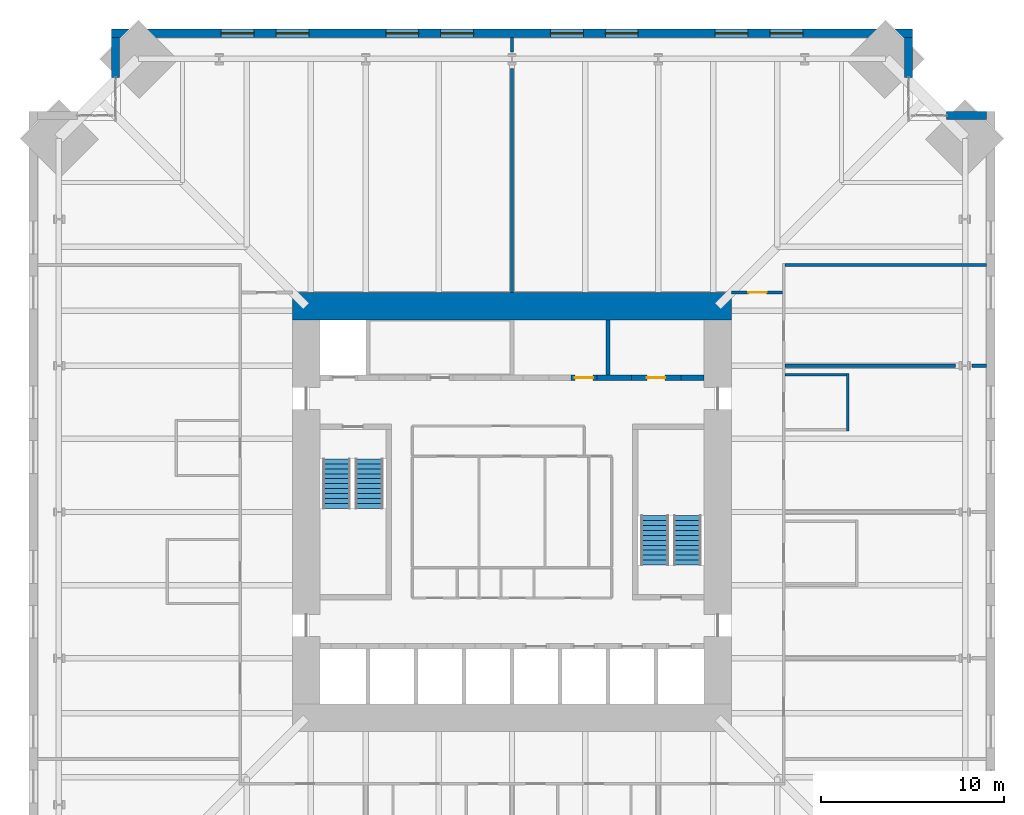
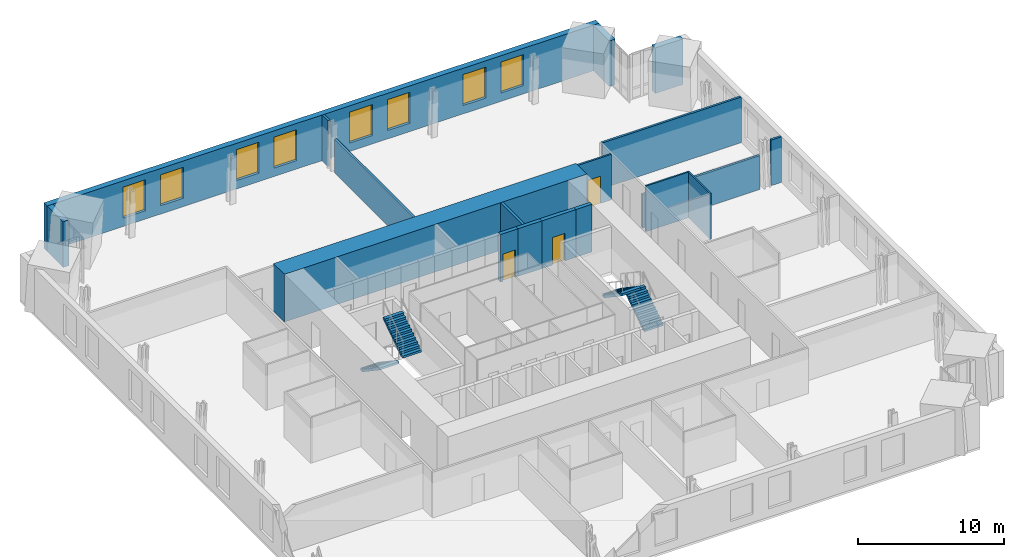
# One storey, part 17 of 18: 18 walls, 8 windows, 4 stair flights, 3 doors, 11 openings, 2 elements without a shape of their own.
"""IFC4 building model written with IfcOpenShell, lengths in metres."""

from ifc_helpers import new_model, si_unit, direction, frame, frame_2d, origin, place, context, subcontext, project, spatial, polyline, rectangle, outline, extrude, material, layer, layer_set, type_object, element, fill, aggregate, save


model = new_model("IFC4")

# Units and contexts
model_context = context("Model", 3, precision=1e-05, world=origin(), true_north=direction((0.0, 1.0)))
body_context = subcontext(model_context, "Body", "Model", "MODEL_VIEW")
ifc_project = project(units=[si_unit("LENGTHUNIT", "METRE"), si_unit("AREAUNIT", "SQUARE_METRE"), si_unit("VOLUMEUNIT", "CUBIC_METRE"), si_unit("PLANEANGLEUNIT", "RADIAN"), si_unit("MASSUNIT", "GRAM", prefix="KILO")], contexts=[model_context])

# Site, building, storey
site_placement = place(None, origin())
site = spatial("IfcSite", under=ifc_project, at=site_placement, CompositionType="ELEMENT")
building_placement = place(site_placement, origin())
building = spatial("IfcBuilding", under=site, at=building_placement, Name="Peilmerk Tower", CompositionType="ELEMENT")
storey_placement = place(building_placement, frame((0.0, 0.0, 151.800048828125)))
storey = spatial("IfcBuildingStorey", under=building, at=storey_placement, Name="L31", CompositionType="ELEMENT", Elevation=151.800048828125)

# Wall, openings, windows
ifc_material_1 = material(Name="Precast concrete C45/55, board-marked finish", Category="concrete")
ifc_layer_1 = layer(ifc_material_1, 0.449951171875)
ifc_layer_set_1 = layer_set([ifc_layer_1], Name="Precast concrete C45/55, board-marked finish")
wall_type_1 = type_object("IfcWallType", Name="EW1 450 precast concrete facade wall, board-marked", PredefinedType="SOLIDWALL", material=ifc_layer_set_1)
wall_1_placement = place(storey_placement, frame((21.89990234375, 26.175048828125, 0.0), z_axis=(0.0, 0.0, 1.0), x_axis=(-1.0, 0.0, 0.0)))
wall_1 = element("IfcWall", 1, at=wall_1_placement, inside=storey, type_object=wall_type_1, Name="Facade wall N L31", PredefinedType="SOLIDWALL", context=body_context, shape_type="SweptSolid", body=[
    extrude(rectangle(XDim=43.7998046875, YDim=0.449951171875, at=frame_2d((21.89990234375, 0.0))), origin(), (0.0, 0.0, 1.0), 3.829833984375),
])
opening_1_placement = place(wall_1_placement, frame((6.0, 0.0, 0.699951171875)))
opening_1 = element("IfcOpeningElement", 2, at=opening_1_placement, cuts=wall_1, Name="Opening W1", PredefinedType="OPENING", context=body_context, shape_type="SweptSolid", body=[
    extrude(rectangle(XDim=1.800048828125, YDim=2.60009765625, at=frame_2d((0.89990234375, 1.300048828125))), frame((0.0, 0.23486328125, 0.0), z_axis=(0.0, -1.0, 0.0), x_axis=(1.0, 0.0, 0.0)), (0.0, 0.0, 1.0), 0.469970703125),
])
opening_2_placement = place(wall_1_placement, frame((9.0, 0.0, 0.699951171875)))
opening_2 = element("IfcOpeningElement", 3, at=opening_2_placement, cuts=wall_1, Name="Opening W1", PredefinedType="OPENING", context=body_context, shape_type="SweptSolid", body=[
    extrude(rectangle(XDim=1.800048828125, YDim=2.60009765625, at=frame_2d((0.89990234375, 1.300048828125))), frame((0.0, 0.23486328125, 0.0), z_axis=(0.0, -1.0, 0.0), x_axis=(1.0, 0.0, 0.0)), (0.0, 0.0, 1.0), 0.469970703125),
])
opening_3_placement = place(wall_1_placement, frame((15.0, 0.0, 0.699951171875)))
opening_3 = element("IfcOpeningElement", 4, at=opening_3_placement, cuts=wall_1, Name="Opening W1", PredefinedType="OPENING", context=body_context, shape_type="SweptSolid", body=[
    extrude(rectangle(XDim=1.800048828125, YDim=2.60009765625, at=frame_2d((0.89990234375, 1.300048828125))), frame((0.0, 0.23486328125, 0.0), z_axis=(0.0, -1.0, 0.0), x_axis=(1.0, 0.0, 0.0)), (0.0, 0.0, 1.0), 0.469970703125),
])
opening_4_placement = place(wall_1_placement, frame((18.0, 0.0, 0.699951171875)))
opening_4 = element("IfcOpeningElement", 5, at=opening_4_placement, cuts=wall_1, Name="Opening W1", PredefinedType="OPENING", context=body_context, shape_type="SweptSolid", body=[
    extrude(rectangle(XDim=1.800048828125, YDim=2.60009765625, at=frame_2d((0.89990234375, 1.300048828125))), frame((0.0, 0.23486328125, 0.0), z_axis=(0.0, -1.0, 0.0), x_axis=(1.0, 0.0, 0.0)), (0.0, 0.0, 1.0), 0.469970703125),
])
opening_5_placement = place(wall_1_placement, frame((24.0, 0.0, 0.699951171875)))
opening_5 = element("IfcOpeningElement", 6, at=opening_5_placement, cuts=wall_1, Name="Opening W1", PredefinedType="OPENING", context=body_context, shape_type="SweptSolid", body=[
    extrude(rectangle(XDim=1.800048828125, YDim=2.60009765625, at=frame_2d((0.89990234375, 1.300048828125))), frame((0.0, 0.23486328125, 0.0), z_axis=(0.0, -1.0, 0.0), x_axis=(1.0, 0.0, 0.0)), (0.0, 0.0, 1.0), 0.469970703125),
])
opening_6_placement = place(wall_1_placement, frame((27.0, 0.0, 0.699951171875)))
opening_6 = element("IfcOpeningElement", 7, at=opening_6_placement, cuts=wall_1, Name="Opening W1", PredefinedType="OPENING", context=body_context, shape_type="SweptSolid", body=[
    extrude(rectangle(XDim=1.800048828125, YDim=2.60009765625, at=frame_2d((0.89990234375, 1.300048828125))), frame((0.0, 0.23486328125, 0.0), z_axis=(0.0, -1.0, 0.0), x_axis=(1.0, 0.0, 0.0)), (0.0, 0.0, 1.0), 0.469970703125),
])
opening_7_placement = place(wall_1_placement, frame((33.0, 0.0, 0.699951171875)))
opening_7 = element("IfcOpeningElement", 8, at=opening_7_placement, cuts=wall_1, Name="Opening W1", PredefinedType="OPENING", context=body_context, shape_type="SweptSolid", body=[
    extrude(rectangle(XDim=1.800048828125, YDim=2.60009765625, at=frame_2d((0.89990234375, 1.300048828125))), frame((0.0, 0.23486328125, 0.0), z_axis=(0.0, -1.0, 0.0), x_axis=(1.0, 0.0, 0.0)), (0.0, 0.0, 1.0), 0.469970703125),
])
opening_8_placement = place(wall_1_placement, frame((36.0, 0.0, 0.699951171875)))
opening_8 = element("IfcOpeningElement", 9, at=opening_8_placement, cuts=wall_1, Name="Opening W1", PredefinedType="OPENING", context=body_context, shape_type="SweptSolid", body=[
    extrude(rectangle(XDim=1.800048828125, YDim=2.60009765625, at=frame_2d((0.89990234375, 1.300048828125))), frame((0.0, 0.23486328125, 0.0), z_axis=(0.0, -1.0, 0.0), x_axis=(1.0, 0.0, 0.0)), (0.0, 0.0, 1.0), 0.469970703125),
])
ifc_material_2 = material(Name="Aluminium frame, clear double glazing", Category="aluminium")
window_type = type_object("IfcWindowType", Name="W1 1800x2600 office window", PartitioningType="SINGLE_PANEL", PredefinedType="WINDOW", material=ifc_material_2)
window_1_placement = place(opening_1_placement, origin())
window_1 = element("IfcWindow", 10, at=window_1_placement, inside=storey, type_object=window_type, Name="Window W1 L31", OverallHeight=2.60009765625, OverallWidth=1.800048828125, PartitioningType="SINGLE_PANEL", PredefinedType="WINDOW", context=body_context, shape_type="SweptSolid", body=[
    extrude(rectangle(XDim=1.800048828125, YDim=2.60009765625, at=frame_2d((0.89990234375, 1.300048828125))), frame((0.0, 0.030029296875, 0.0), z_axis=(0.0, -1.0, 0.0), x_axis=(1.0, 0.0, 0.0)), (0.0, 0.0, 1.0), 0.06005859375),
])
fill(opening_1, window_1)
window_2_placement = place(opening_2_placement, origin())
window_2 = element("IfcWindow", 11, at=window_2_placement, inside=storey, type_object=window_type, Name="Window W1 L31", OverallHeight=2.60009765625, OverallWidth=1.800048828125, PartitioningType="SINGLE_PANEL", PredefinedType="WINDOW", context=body_context, shape_type="SweptSolid", body=[
    extrude(rectangle(XDim=1.800048828125, YDim=2.60009765625, at=frame_2d((0.89990234375, 1.300048828125))), frame((0.0, 0.030029296875, 0.0), z_axis=(0.0, -1.0, 0.0), x_axis=(1.0, 0.0, 0.0)), (0.0, 0.0, 1.0), 0.06005859375),
])
fill(opening_2, window_2)
window_3_placement = place(opening_3_placement, origin())
window_3 = element("IfcWindow", 12, at=window_3_placement, inside=storey, type_object=window_type, Name="Window W1 L31", OverallHeight=2.60009765625, OverallWidth=1.800048828125, PartitioningType="SINGLE_PANEL", PredefinedType="WINDOW", context=body_context, shape_type="SweptSolid", body=[
    extrude(rectangle(XDim=1.800048828125, YDim=2.60009765625, at=frame_2d((0.89990234375, 1.300048828125))), frame((0.0, 0.030029296875, 0.0), z_axis=(0.0, -1.0, 0.0), x_axis=(1.0, 0.0, 0.0)), (0.0, 0.0, 1.0), 0.06005859375),
])
fill(opening_3, window_3)
window_4_placement = place(opening_4_placement, origin())
window_4 = element("IfcWindow", 13, at=window_4_placement, inside=storey, type_object=window_type, Name="Window W1 L31", OverallHeight=2.60009765625, OverallWidth=1.800048828125, PartitioningType="SINGLE_PANEL", PredefinedType="WINDOW", context=body_context, shape_type="SweptSolid", body=[
    extrude(rectangle(XDim=1.800048828125, YDim=2.60009765625, at=frame_2d((0.89990234375, 1.300048828125))), frame((0.0, 0.030029296875, 0.0), z_axis=(0.0, -1.0, 0.0), x_axis=(1.0, 0.0, 0.0)), (0.0, 0.0, 1.0), 0.06005859375),
])
fill(opening_4, window_4)
window_5_placement = place(opening_5_placement, origin())
window_5 = element("IfcWindow", 14, at=window_5_placement, inside=storey, type_object=window_type, Name="Window W1 L31", OverallHeight=2.60009765625, OverallWidth=1.800048828125, PartitioningType="SINGLE_PANEL", PredefinedType="WINDOW", context=body_context, shape_type="SweptSolid", body=[
    extrude(rectangle(XDim=1.800048828125, YDim=2.60009765625, at=frame_2d((0.89990234375, 1.300048828125))), frame((0.0, 0.030029296875, 0.0), z_axis=(0.0, -1.0, 0.0), x_axis=(1.0, 0.0, 0.0)), (0.0, 0.0, 1.0), 0.06005859375),
])
fill(opening_5, window_5)
window_6_placement = place(opening_6_placement, origin())
window_6 = element("IfcWindow", 15, at=window_6_placement, inside=storey, type_object=window_type, Name="Window W1 L31", OverallHeight=2.60009765625, OverallWidth=1.800048828125, PartitioningType="SINGLE_PANEL", PredefinedType="WINDOW", context=body_context, shape_type="SweptSolid", body=[
    extrude(rectangle(XDim=1.800048828125, YDim=2.60009765625, at=frame_2d((0.89990234375, 1.300048828125))), frame((0.0, 0.030029296875, 0.0), z_axis=(0.0, -1.0, 0.0), x_axis=(1.0, 0.0, 0.0)), (0.0, 0.0, 1.0), 0.06005859375),
])
fill(opening_6, window_6)
window_7_placement = place(opening_7_placement, origin())
window_7 = element("IfcWindow", 16, at=window_7_placement, inside=storey, type_object=window_type, Name="Window W1 L31", OverallHeight=2.60009765625, OverallWidth=1.800048828125, PartitioningType="SINGLE_PANEL", PredefinedType="WINDOW", context=body_context, shape_type="SweptSolid", body=[
    extrude(rectangle(XDim=1.800048828125, YDim=2.60009765625, at=frame_2d((0.89990234375, 1.300048828125))), frame((0.0, 0.030029296875, 0.0), z_axis=(0.0, -1.0, 0.0), x_axis=(1.0, 0.0, 0.0)), (0.0, 0.0, 1.0), 0.06005859375),
])
fill(opening_7, window_7)
window_8_placement = place(opening_8_placement, origin())
window_8 = element("IfcWindow", 17, at=window_8_placement, inside=storey, type_object=window_type, Name="Window W1 L31", OverallHeight=2.60009765625, OverallWidth=1.800048828125, PartitioningType="SINGLE_PANEL", PredefinedType="WINDOW", context=body_context, shape_type="SweptSolid", body=[
    extrude(rectangle(XDim=1.800048828125, YDim=2.60009765625, at=frame_2d((0.89990234375, 1.300048828125))), frame((0.0, 0.030029296875, 0.0), z_axis=(0.0, -1.0, 0.0), x_axis=(1.0, 0.0, 0.0)), (0.0, 0.0, 1.0), 0.06005859375),
])
fill(opening_8, window_8)

# Walls
for number, where, z_axis, x_axis, name in (
    (18, (21.675048828125, 23.753662109375, 0.0), (0.0, 0.0, 1.0), (0.0, 1.0, 0.0), "Facade wall NEA L31"),
    (19, (23.753662109375, 21.675048828125, 0.0), (0.0, 0.0, 1.0), (1.0, 0.0, 0.0), "Facade wall NEB L31"),
    (20, (-21.675048828125, 23.753662109375, 0.0), (0.0, 0.0, 1.0), (0.0, 1.0, 0.0), "Facade wall NWA L31"),
):
    element("IfcWall", number, at=place(storey_placement, frame(where, z_axis=z_axis, x_axis=x_axis)), inside=storey, type_object=wall_type_1, Name=name, PredefinedType="SOLIDWALL", context=body_context, shape_type="SweptSolid", body=[
        extrude(rectangle(XDim=2.1962890625, YDim=0.449951171875, at=frame_2d((1.09814453125, 0.0))), origin(), (0.0, 0.0, 1.0), 3.829833984375),
    ])

# Wall, opening, door
ifc_material_3 = material(Name="Calcium silicate block", Category="masonry")
ifc_layer_2 = layer(ifc_material_3, 0.14990234375)
ifc_layer_set_2 = layer_set([ifc_layer_2], Name="Calcium silicate block")
wall_type_2 = type_object("IfcWallType", Name="IW1 150 corridor partition, EI 60", PredefinedType="PARTITIONING", material=ifc_layer_set_2)
wall_2_placement = place(storey_placement, frame((12.0, 12.0, 0.0), z_axis=(0.0, 0.0, 1.0), x_axis=(1.0, 0.0, 0.0)))
wall_2 = element("IfcWall", 21, at=wall_2_placement, inside=storey, type_object=wall_type_2, Name="Corridor wall NE L31", PredefinedType="PARTITIONING", context=body_context, shape_type="SweptSolid", body=[
    extrude(rectangle(XDim=2.77490234375, YDim=0.14990234375, at=frame_2d((1.387451171875, 0.0))), origin(), (0.0, 0.0, 1.0), 3.829833984375),
])
opening_9_placement = place(wall_2_placement, frame((0.925048828125, 0.0, 0.0)))
opening_9 = element("IfcOpeningElement", 22, at=opening_9_placement, cuts=wall_2, Name="Opening D1", PredefinedType="OPENING", context=body_context, shape_type="SweptSolid", body=[
    extrude(rectangle(XDim=1.0, YDim=2.300048828125, at=frame_2d((0.5, 1.14990234375))), frame((0.0, 0.0849609375, 0.0), z_axis=(0.0, -1.0, 0.0), x_axis=(1.0, 0.0, 0.0)), (0.0, 0.0, 1.0), 0.169921875),
])
ifc_material_4 = material(Name="Timber door in steel frame", Category="steel")
door_type_1 = type_object("IfcDoorType", Name="D1 1000x2300 room door, EI2 30", OperationType="SINGLE_SWING_LEFT", PredefinedType="DOOR", material=ifc_material_4)
door_1_placement = place(opening_9_placement, origin())
door_1 = element("IfcDoor", 23, at=door_1_placement, inside=storey, type_object=door_type_1, Name="Door Project room L31", OperationType="SINGLE_SWING_LEFT", OverallHeight=2.300048828125, OverallWidth=1.0, PredefinedType="DOOR", context=body_context, shape_type="SweptSolid", body=[
    extrude(rectangle(XDim=1.0, YDim=2.300048828125, at=frame_2d((0.5, 1.14990234375))), frame((0.0, 0.02490234375, 0.0), z_axis=(0.0, -1.0, 0.0), x_axis=(1.0, 0.0, 0.0)), (0.0, 0.0, 1.0), 0.050048828125),
])
fill(opening_9, door_1)

# Walls
ifc_material_5 = material(Name="Plasterboard on steel studs, double boarded with mineral wool", Category="steel")
ifc_layer_3 = layer(ifc_material_5, 0.125)
ifc_layer_set_3 = layer_set([ifc_layer_3], Name="Plasterboard on steel studs, double boarded with mineral wool")
wall_type_3 = type_object("IfcWallType", Name="IW7 125 acoustic partition, EI 30", PredefinedType="PARTITIONING", material=ifc_layer_set_3)
wall_3_placement = place(storey_placement, frame((18.35009765625, 4.4375, 0.0), z_axis=(0.0, 0.0, 1.0), x_axis=(0.0, 1.0, 0.0)))
element("IfcWall", 24, at=wall_3_placement, inside=storey, type_object=wall_type_3, Name="Acoustic partition Focus room L31", PredefinedType="PARTITIONING", context=body_context, shape_type="SweptSolid", body=[
    extrude(rectangle(XDim=3.125, YDim=0.125, at=frame_2d((1.5625, 0.0))), origin(), (0.0, 0.0, 1.0), 3.829833984375),
])
wall_4_placement = place(storey_placement, frame((14.925048828125, 7.5, 0.0), z_axis=(0.0, 0.0, 1.0), x_axis=(1.0, 0.0, 0.0)))
element("IfcWall", 25, at=wall_4_placement, inside=storey, type_object=wall_type_3, Name="Acoustic partition Focus room L31", PredefinedType="PARTITIONING", context=body_context, shape_type="SweptSolid", body=[
    extrude(rectangle(XDim=3.362548828125, YDim=0.125, at=frame_2d((1.68115234375, 0.0))), origin(), (0.0, 0.0, 1.0), 3.829833984375),
])
ifc_layer_4 = layer(ifc_material_3, 0.175048828125)
ifc_layer_set_4 = layer_set([ifc_layer_4], Name="Calcium silicate block")
wall_type_4 = type_object("IfcWallType", Name="IW8 175 tenant separating wall, EI 60", PredefinedType="PARTITIONING", material=ifc_layer_set_4)
wall_5_placement = place(storey_placement, frame((14.925048828125, 13.5, 0.0), z_axis=(0.0, 0.0, 1.0), x_axis=(1.0, 0.0, 0.0)))
element("IfcWall", 26, at=wall_5_placement, inside=storey, type_object=wall_type_4, Name="Tenant separating wall NE L31", PredefinedType="PARTITIONING", context=body_context, shape_type="SweptSolid", body=[
    extrude(rectangle(XDim=11.02490234375, YDim=0.175048828125, at=frame_2d((5.512451171875, 0.0))), origin(), (0.0, 0.0, 1.0), 3.829833984375),
])
wall_6_placement = place(storey_placement, frame((0.0, 12.0, 0.0), z_axis=(0.0, 0.0, 1.0), x_axis=(0.0, 1.0, 0.0)))
element("IfcWall", 27, at=wall_6_placement, inside=storey, type_object=wall_type_4, Name="Tenant separating wall N1 L31", PredefinedType="PARTITIONING", context=body_context, shape_type="SweptSolid", body=[
    extrude(rectangle(XDim=12.25048828125, YDim=0.175048828125, at=frame_2d((6.125244140625, 0.0))), origin(), (0.0, 0.0, 1.0), 2.83984375),
])
wall_7_placement = place(storey_placement, frame((0.0, 25.1396484375, 0.0), z_axis=(0.0, 0.0, 1.0), x_axis=(0.0, 1.0, 0.0)))
element("IfcWall", 28, at=wall_7_placement, inside=storey, type_object=wall_type_4, Name="Tenant separating wall N1b L31", PredefinedType="PARTITIONING", context=body_context, shape_type="SweptSolid", body=[
    extrude(rectangle(XDim=0.810302734375, YDim=0.175048828125, at=frame_2d((0.4052734375, 0.0))), origin(), (0.0, 0.0, 1.0), 3.829833984375),
])
wall_8_placement = place(storey_placement, frame((14.925048828125, 8.0, 0.0), z_axis=(0.0, 0.0, 1.0), x_axis=(1.0, 0.0, 0.0)))
element("IfcWall", 29, at=wall_8_placement, inside=storey, type_object=wall_type_4, Name="Tenant separating wall E3 L31", PredefinedType="PARTITIONING", context=body_context, shape_type="SweptSolid", body=[
    extrude(rectangle(XDim=9.325439453125, YDim=0.175048828125, at=frame_2d((4.66259765625, 0.0))), origin(), (0.0, 0.0, 1.0), 2.83984375),
])
wall_9_placement = place(storey_placement, frame((25.1396484375, 8.0, 0.0), z_axis=(0.0, 0.0, 1.0), x_axis=(1.0, 0.0, 0.0)))
element("IfcWall", 30, at=wall_9_placement, inside=storey, type_object=wall_type_4, Name="Tenant separating wall E3b L31", PredefinedType="PARTITIONING", context=body_context, shape_type="SweptSolid", body=[
    extrude(rectangle(XDim=0.810302734375, YDim=0.175048828125, at=frame_2d((0.4052734375, 0.0))), origin(), (0.0, 0.0, 1.0), 3.829833984375),
])
ifc_layer_5 = layer(ifc_material_3, 0.199951171875)
ifc_layer_set_5 = layer_set([ifc_layer_5], Name="Calcium silicate block")
wall_type_5 = type_object("IfcWallType", Name="SH1 200 shaft dividing wall, EI 120", PredefinedType="PARTITIONING", material=ifc_layer_set_5)
wall_10_placement = place(storey_placement, frame((5.25, 7.5, 0.0), z_axis=(0.0, 0.0, 1.0), x_axis=(0.0, 1.0, 0.0)))
element("IfcWall", 31, at=wall_10_placement, inside=storey, type_object=wall_type_5, Name="Shaft wall N S2 L31", PredefinedType="PARTITIONING", context=body_context, shape_type="SweptSolid", body=[
    extrude(rectangle(XDim=3.0, YDim=0.199951171875, at=frame_2d((1.5, 0.0))), origin(), (0.0, 0.0, 1.0), 4.0),
])

# Wall, opening, door
ifc_layer_6 = layer(ifc_material_3, 0.300048828125)
ifc_layer_set_6 = layer_set([ifc_layer_6], Name="Calcium silicate block")
wall_type_6 = type_object("IfcWallType", Name="SH2 300 lift landing door panel, EI 120", PredefinedType="PARTITIONING", material=ifc_layer_set_6)
wall_11_placement = place(storey_placement, frame((3.237548828125, 7.35009765625, 0.0), z_axis=(0.0, 0.0, 1.0), x_axis=(1.0, 0.0, 0.0)))
wall_11 = element("IfcWall", 32, at=wall_11_placement, inside=storey, type_object=wall_type_6, Name="Lift door panel N S2 L31", PredefinedType="PARTITIONING", context=body_context, shape_type="SweptSolid", body=[
    extrude(rectangle(XDim=1.39990234375, YDim=0.300048828125, at=frame_2d((0.699951171875, 0.0))), origin(), (0.0, 0.0, 1.0), 4.0),
])
opening_10_placement = place(wall_11_placement, frame((0.199951171875, 0.0, 0.0)))
opening_10 = element("IfcOpeningElement", 33, at=opening_10_placement, cuts=wall_11, Name="Opening D10", PredefinedType="OPENING", context=body_context, shape_type="SweptSolid", body=[
    extrude(rectangle(XDim=1.0, YDim=2.300048828125, at=frame_2d((0.5, 1.14990234375))), frame((0.0, 0.159912109375, 0.0), z_axis=(0.0, -1.0, 0.0), x_axis=(1.0, 0.0, 0.0)), (0.0, 0.0, 1.0), 0.320068359375),
])
ifc_material_6 = material(Name="Steel door in steel frame", Category="steel")
door_type_2 = type_object("IfcDoorType", Name="D10 1000x2300 core room door, EI2 60", OperationType="SINGLE_SWING_RIGHT", PredefinedType="DOOR", material=ifc_material_6)
door_2_placement = place(opening_10_placement, origin())
door_2 = element("IfcDoor", 34, at=door_2_placement, inside=storey, type_object=door_type_2, Name="Door Plant room L31", OperationType="SINGLE_SWING_RIGHT", OverallHeight=2.300048828125, OverallWidth=1.0, PredefinedType="DOOR", context=body_context, shape_type="SweptSolid", body=[
    extrude(rectangle(XDim=1.0, YDim=2.300048828125, at=frame_2d((0.5, 1.14990234375))), frame((0.0, 0.02490234375, 0.0), z_axis=(0.0, -1.0, 0.0), x_axis=(1.0, 0.0, 0.0)), (0.0, 0.0, 1.0), 0.050048828125),
])
fill(opening_10, door_2)

wall_12_placement = place(storey_placement, frame((6.52490234375, 7.35009765625, 0.0), z_axis=(0.0, 0.0, 1.0), x_axis=(1.0, 0.0, 0.0)))
wall_12 = element("IfcWall", 35, at=wall_12_placement, inside=storey, type_object=wall_type_6, Name="Lift door panel N GL1 L31", PredefinedType="PARTITIONING", context=body_context, shape_type="SweptSolid", body=[
    extrude(rectangle(XDim=2.7001953125, YDim=0.300048828125, at=frame_2d((1.35009765625, 0.0))), origin(), (0.0, 0.0, 1.0), 4.0),
])
opening_11_placement = place(wall_12_placement, frame((0.85009765625, 0.0, 0.0)))
opening_11 = element("IfcOpeningElement", 36, at=opening_11_placement, cuts=wall_12, Name="Opening D10", PredefinedType="OPENING", context=body_context, shape_type="SweptSolid", body=[
    extrude(rectangle(XDim=1.0, YDim=2.300048828125, at=frame_2d((0.5, 1.14990234375))), frame((0.0, 0.159912109375, 0.0), z_axis=(0.0, -1.0, 0.0), x_axis=(1.0, 0.0, 0.0)), (0.0, 0.0, 1.0), 0.320068359375),
])
door_3_placement = place(opening_11_placement, origin())
door_3 = element("IfcDoor", 37, at=door_3_placement, inside=storey, type_object=door_type_2, Name="Door Water meter room L31", OperationType="SINGLE_SWING_RIGHT", OverallHeight=2.300048828125, OverallWidth=1.0, PredefinedType="DOOR", context=body_context, shape_type="SweptSolid", body=[
    extrude(rectangle(XDim=1.0, YDim=2.300048828125, at=frame_2d((0.5, 1.14990234375))), frame((0.0, 0.02490234375, 0.0), z_axis=(0.0, -1.0, 0.0), x_axis=(1.0, 0.0, 0.0)), (0.0, 0.0, 1.0), 0.050048828125),
])
fill(opening_11, door_3)

# Walls
ifc_material_7 = material(Name="Concrete C55/67", Category="concrete")
ifc_layer_7 = layer(ifc_material_7, 1.5)
ifc_layer_set_7 = layer_set([ifc_layer_7], Name="Concrete C55/67")
wall_type_7 = type_object("IfcWallType", Name="SW1 1500 core wall", PredefinedType="SHEAR", material=ifc_layer_set_7)
wall_13_placement = place(storey_placement, frame((-12.0, 11.25, 0.0), z_axis=(0.0, 0.0, 1.0), x_axis=(1.0, 0.0, 0.0)))
element("IfcWall", 38, at=wall_13_placement, inside=storey, type_object=wall_type_7, Name="Core wall N L31", PredefinedType="SHEAR", context=body_context, shape_type="SweptSolid", body=[
    extrude(rectangle(XDim=24.0, YDim=1.5, at=frame_2d((12.0, 0.0))), origin(), (0.0, 0.0, 1.0), 4.0),
])
ifc_layer_8 = layer(ifc_material_7, 0.300048828125)
ifc_layer_set_8 = layer_set([ifc_layer_8], Name="Concrete C55/67")
wall_type_8 = type_object("IfcWallType", Name="SW2 300 lift bank pier", PredefinedType="SHEAR", material=ifc_layer_set_8)
wall_14_placement = place(storey_placement, frame((4.637451171875, 7.35009765625, 0.0), z_axis=(0.0, 0.0, 1.0), x_axis=(1.0, 0.0, 0.0)))
element("IfcWall", 39, at=wall_14_placement, inside=storey, type_object=wall_type_8, Name="Lift bank pier N L31", PredefinedType="SHEAR", context=body_context, shape_type="SweptSolid", body=[
    extrude(rectangle(XDim=1.887451171875, YDim=0.300048828125, at=frame_2d((0.94384765625, 0.0))), origin(), (0.0, 0.0, 1.0), 4.0),
])
wall_15_placement = place(storey_placement, frame((9.22509765625, 7.35009765625, 0.0), z_axis=(0.0, 0.0, 1.0), x_axis=(1.0, 0.0, 0.0)))
element("IfcWall", 40, at=wall_15_placement, inside=storey, type_object=wall_type_8, Name="Lift bank pier N L31", PredefinedType="SHEAR", context=body_context, shape_type="SweptSolid", body=[
    extrude(rectangle(XDim=1.27490234375, YDim=0.300048828125, at=frame_2d((0.637451171875, 0.0))), origin(), (0.0, 0.0, 1.0), 4.0),
])

# Stair, stair flights
ifc_material_8 = material(Name="Precast concrete C45/55", Category="concrete")
stair_type_1 = type_object("IfcStairType", Name="ST1 22 risers of 181.8", PredefinedType="HALF_TURN_STAIR", material=ifc_material_8)
stair_1_placement = place(storey_placement, origin())
stair_1 = element("IfcStair", 41, at=stair_1_placement, inside=storey, type_object=stair_type_1, Name="Stair 1 L31 to L32", PredefinedType="HALF_TURN_STAIR")
stair_flight_type = type_object("IfcStairFlightType", Name="SF11 flight, 11 risers of 181.8", PredefinedType="STRAIGHT", material=ifc_material_8)
stair_flight_1_placement = place(storey_placement, frame((-9.60009765625, 2.89990234375, 0.0), z_axis=(0.0, 0.0, 1.0), x_axis=(0.0, -1.0, 0.0)))
stair_flight_1 = element("IfcStairFlight", 42, at=stair_flight_1_placement, type_object=stair_flight_type, Name="ST1 flight 1", NumberOfRisers=11, NumberOfTreads=10, PredefinedType="STRAIGHT", RiserHeight=0.181818182, TreadLength=0.27, context=body_context, shape_type="SweptSolid", body=[
    extrude(outline(polyline([(0.0, 0.0), (0.0, 0.181884765625), (0.27001953125, 0.181884765625), (0.27001953125, 0.363525390625), (0.5400390625, 0.363525390625), (0.5400390625, 0.54541015625), (0.81005859375, 0.54541015625), (0.81005859375, 0.727294921875), (1.080078125, 0.727294921875), (1.080078125, 0.9091796875), (1.35009765625, 0.9091796875), (1.35009765625, 1.0908203125), (1.6201171875, 1.0908203125), (1.6201171875, 1.272705078125), (1.889892578125, 1.272705078125), (1.889892578125, 1.45458984375), (2.159912109375, 1.45458984375), (2.159912109375, 1.636474609375), (2.429931640625, 1.636474609375), (2.429931640625, 1.818115234375), (2.699951171875, 1.818115234375), (2.699951171875, 2.0), (2.699951171875, 1.637451171875), (0.268310546875, 0.0), (0.0, 0.0)])), frame((0.0, 0.75, 0.0), z_axis=(0.0, -1.0, 0.0), x_axis=(1.0, 0.0, 0.0)), (0.0, 0.0, 1.0), 1.5),
])
stair_flight_2_placement = place(storey_placement, frame((-7.800048828125, 0.199951171875, 2.0), z_axis=(0.0, 0.0, 1.0), x_axis=(0.0, 1.0, 0.0)))
stair_flight_2 = element("IfcStairFlight", 43, at=stair_flight_2_placement, type_object=stair_flight_type, Name="ST1 flight 2", NumberOfRisers=11, NumberOfTreads=10, PredefinedType="STRAIGHT", RiserHeight=0.181818182, TreadLength=0.27, context=body_context, shape_type="SweptSolid", body=[
    extrude(outline(polyline([(0.0, 0.0), (0.0, 0.181884765625), (0.27001953125, 0.181884765625), (0.27001953125, 0.363525390625), (0.5400390625, 0.363525390625), (0.5400390625, 0.54541015625), (0.81005859375, 0.54541015625), (0.81005859375, 0.727294921875), (1.080078125, 0.727294921875), (1.080078125, 0.9091796875), (1.35009765625, 0.9091796875), (1.35009765625, 1.0908203125), (1.6201171875, 1.0908203125), (1.6201171875, 1.272705078125), (1.889892578125, 1.272705078125), (1.889892578125, 1.45458984375), (2.159912109375, 1.45458984375), (2.159912109375, 1.636474609375), (2.429931640625, 1.636474609375), (2.429931640625, 1.818115234375), (2.699951171875, 1.818115234375), (2.699951171875, 2.0), (2.699951171875, 1.637451171875), (0.268310546875, 0.0), (0.0, 0.0)])), frame((0.0, 0.75, 0.0), z_axis=(0.0, -1.0, 0.0), x_axis=(1.0, 0.0, 0.0)), (0.0, 0.0, 1.0), 1.5),
])
aggregate(stair_1, [stair_flight_1, stair_flight_2])

stair_type_2 = type_object("IfcStairType", Name="ST2 22 risers of 181.8", PredefinedType="HALF_TURN_STAIR", material=ifc_material_8)
stair_2_placement = place(storey_placement, origin())
stair_2 = element("IfcStair", 44, at=stair_2_placement, inside=storey, type_object=stair_type_2, Name="Stair 2 L31 to L32", PredefinedType="HALF_TURN_STAIR")
stair_flight_3_placement = place(storey_placement, frame((9.60009765625, -2.89990234375, 0.0), z_axis=(0.0, 0.0, 1.0), x_axis=(0.0, 1.0, 0.0)))
stair_flight_3 = element("IfcStairFlight", 45, at=stair_flight_3_placement, type_object=stair_flight_type, Name="ST2 flight 1", NumberOfRisers=11, NumberOfTreads=10, PredefinedType="STRAIGHT", RiserHeight=0.181818182, TreadLength=0.27, context=body_context, shape_type="SweptSolid", body=[
    extrude(outline(polyline([(0.0, 0.0), (0.0, 0.181884765625), (0.27001953125, 0.181884765625), (0.27001953125, 0.363525390625), (0.5400390625, 0.363525390625), (0.5400390625, 0.54541015625), (0.81005859375, 0.54541015625), (0.81005859375, 0.727294921875), (1.080078125, 0.727294921875), (1.080078125, 0.9091796875), (1.35009765625, 0.9091796875), (1.35009765625, 1.0908203125), (1.6201171875, 1.0908203125), (1.6201171875, 1.272705078125), (1.889892578125, 1.272705078125), (1.889892578125, 1.45458984375), (2.159912109375, 1.45458984375), (2.159912109375, 1.636474609375), (2.429931640625, 1.636474609375), (2.429931640625, 1.818115234375), (2.699951171875, 1.818115234375), (2.699951171875, 2.0), (2.699951171875, 1.637451171875), (0.268310546875, 0.0), (0.0, 0.0)])), frame((0.0, 0.75, 0.0), z_axis=(0.0, -1.0, 0.0), x_axis=(1.0, 0.0, 0.0)), (0.0, 0.0, 1.0), 1.5),
])
stair_flight_4_placement = place(storey_placement, frame((7.800048828125, -0.199951171875, 2.0), z_axis=(0.0, 0.0, 1.0), x_axis=(0.0, -1.0, 0.0)))
stair_flight_4 = element("IfcStairFlight", 46, at=stair_flight_4_placement, type_object=stair_flight_type, Name="ST2 flight 2", NumberOfRisers=11, NumberOfTreads=10, PredefinedType="STRAIGHT", RiserHeight=0.181818182, TreadLength=0.27, context=body_context, shape_type="SweptSolid", body=[
    extrude(outline(polyline([(0.0, 0.0), (0.0, 0.181884765625), (0.27001953125, 0.181884765625), (0.27001953125, 0.363525390625), (0.5400390625, 0.363525390625), (0.5400390625, 0.54541015625), (0.81005859375, 0.54541015625), (0.81005859375, 0.727294921875), (1.080078125, 0.727294921875), (1.080078125, 0.9091796875), (1.35009765625, 0.9091796875), (1.35009765625, 1.0908203125), (1.6201171875, 1.0908203125), (1.6201171875, 1.272705078125), (1.889892578125, 1.272705078125), (1.889892578125, 1.45458984375), (2.159912109375, 1.45458984375), (2.159912109375, 1.636474609375), (2.429931640625, 1.636474609375), (2.429931640625, 1.818115234375), (2.699951171875, 1.818115234375), (2.699951171875, 2.0), (2.699951171875, 1.637451171875), (0.268310546875, 0.0), (0.0, 0.0)])), frame((0.0, 0.75, 0.0), z_axis=(0.0, -1.0, 0.0), x_axis=(1.0, 0.0, 0.0)), (0.0, 0.0, 1.0), 1.5),
])
aggregate(stair_2, [stair_flight_3, stair_flight_4])

save(model, "model.ifc")
